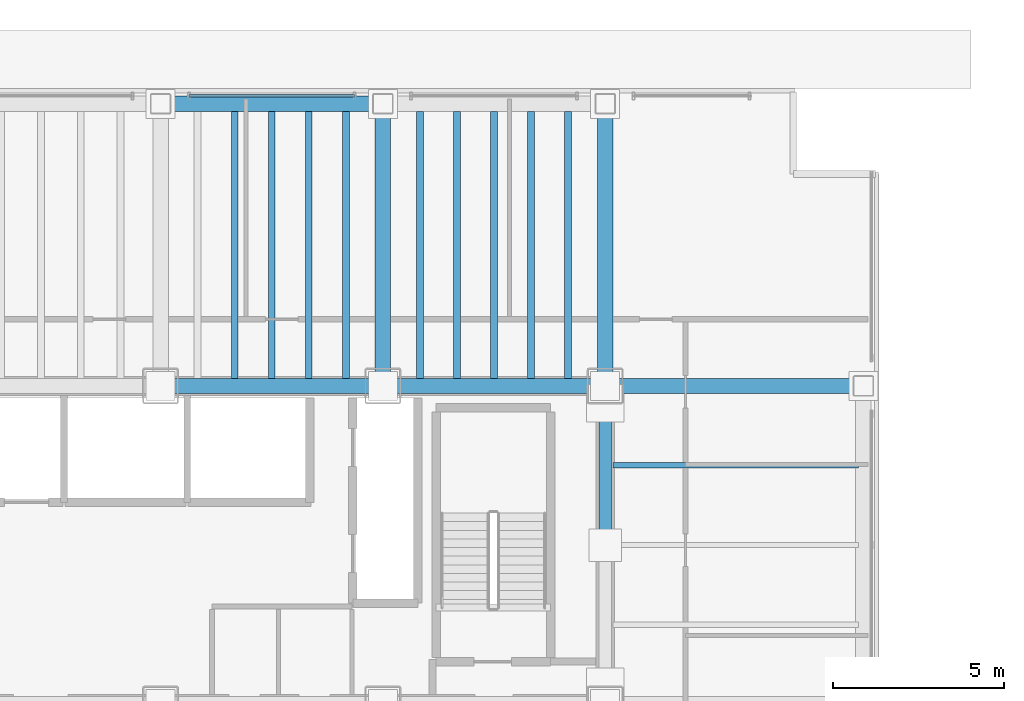
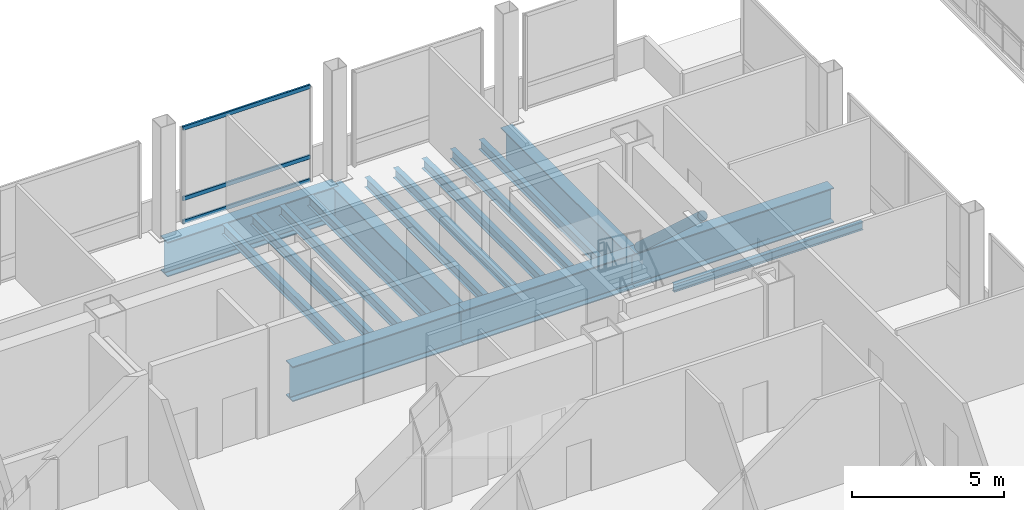
# One storey, part 20 of 34: 16 beams, 4 members, 1 element without a shape of its own.
"""IFC4 building model written with IfcOpenShell, lengths in metres."""

from ifc_helpers import new_model, si_unit, direction, frame, origin, origin_2d, place, context, subcontext, project, spatial, hollow_rectangle, hollow_circle, i_section, extrude, material, material_profile, profile_set, type_object, element, aggregate, save


model = new_model("IFC4")

# Units and contexts
model_context = context("Model", 3, precision=1e-05, world=origin(), true_north=direction((0.0, 1.0)))
body_context = subcontext(model_context, "Body", "Model", "MODEL_VIEW")
ifc_project = project(units=[si_unit("LENGTHUNIT", "METRE"), si_unit("AREAUNIT", "SQUARE_METRE"), si_unit("VOLUMEUNIT", "CUBIC_METRE"), si_unit("PLANEANGLEUNIT", "RADIAN"), si_unit("MASSUNIT", "GRAM", prefix="KILO")], contexts=[model_context])

# Site, building, storey
site_placement = place(None, origin())
site = spatial("IfcSite", under=ifc_project, at=site_placement, CompositionType="ELEMENT")
building_placement = place(site_placement, origin())
building = spatial("IfcBuilding", under=site, at=building_placement, Name="Noeulbin Bourse Tower", CompositionType="ELEMENT")
storey_placement = place(building_placement, frame((0.0, 0.0, 22.0)))
storey = spatial("IfcBuildingStorey", under=building, at=storey_placement, Name="L05", CompositionType="ELEMENT", Elevation=22.0)

# Beams
ifc_material_1 = material(Name="Steel S355", Category="steel")
ifc_material_profile_1 = material_profile(ifc_material_1, i_section(OverallWidth=0.159912109375, OverallDepth=0.320068359375, WebThickness=0.006591796875, FlangeThickness=0.010009765625, FilletRadius=0.012939453125, at=origin_2d()), Name="H-320x160x6.5x10", Category="LoadBearing")
ifc_profile_set_1 = profile_set([ifc_material_profile_1], Name="Steel S355")
beam_type_1 = type_object("IfcBeamType", Name="BM-JST-320", PredefinedType="JOIST", material=ifc_profile_set_1)
beam_1_placement = place(storey_placement, frame((44.22509765625, 35.97509765625, -0.39990234375), z_axis=(1.0, 0.0, 0.0), x_axis=(0.0, 1.0, 0.0)))
element("IfcBeam", 1, at=beam_1_placement, inside=storey, type_object=beam_type_1, Name="Wing Composite Joist L05-E81", PredefinedType="JOIST", context=body_context, shape_type="SweptSolid", body=[
    extrude(i_section(OverallWidth=0.159912109375, OverallDepth=0.320068359375, WebThickness=0.006591796875, FlangeThickness=0.010009765625, FilletRadius=0.012939453125, at=origin_2d()), origin(), (0.0, 0.0, 1.0), 7.1748046875),
])
ifc_material_profile_2 = material_profile(ifc_material_1, i_section(OverallWidth=0.199951171875, OverallDepth=0.39990234375, WebThickness=0.008056640625, FlangeThickness=0.012939453125, FilletRadius=0.01611328125, at=origin_2d()), Name="H-400x200x8x13", Category="LoadBearing")
ifc_profile_set_2 = profile_set([ifc_material_profile_2], Name="Steel S355")
beam_type_2 = type_object("IfcBeamType", Name="BM-SEC-400", PredefinedType="BEAM", material=ifc_profile_set_2)
for number, where, z_axis, x_axis, name in (
    (2, (33.166748046875, 38.52490234375, -0.43994140625), (0.0, 1.0, 0.0), (-1.0, 0.0, 0.0), "Tower Composite Joist L05-45"),
    (3, (34.25, 38.52490234375, -0.43994140625), (0.0, 1.0, 0.0), (-1.0, 0.0, 0.0), "Tower Composite Joist L05-48"),
    (4, (35.333251953125, 38.52490234375, -0.43994140625), (0.0, 1.0, 0.0), (-1.0, 0.0, 0.0), "Tower Composite Joist L05-51"),
    (5, (36.416748046875, 38.52490234375, -0.43994140625), (0.0, 1.0, 0.0), (-1.0, 0.0, 0.0), "Tower Composite Joist L05-54"),
    (6, (38.583251953125, 38.52490234375, -0.43994140625), (0.0, 1.0, 0.0), (-1.0, 0.0, 0.0), "Tower Composite Joist L05-57"),
    (7, (39.666748046875, 38.52490234375, -0.43994140625), (0.0, 1.0, 0.0), (-1.0, 0.0, 0.0), "Tower Composite Joist L05-60"),
    (8, (40.75, 38.52490234375, -0.43994140625), (0.0, 1.0, 0.0), (-1.0, 0.0, 0.0), "Tower Composite Joist L05-63"),
    (9, (41.833251953125, 38.52490234375, -0.43994140625), (0.0, 1.0, 0.0), (-1.0, 0.0, 0.0), "Tower Composite Joist L05-66"),
    (10, (42.916748046875, 38.52490234375, -0.43994140625), (0.0, 1.0, 0.0), (-1.0, 0.0, 0.0), "Tower Composite Joist L05-69"),
):
    element("IfcBeam", number, at=place(storey_placement, frame(where, z_axis=z_axis, x_axis=x_axis)), inside=storey, type_object=beam_type_2, Name=name, PredefinedType="BEAM", context=body_context, shape_type="SweptSolid", body=[
        extrude(i_section(OverallWidth=0.199951171875, OverallDepth=0.39990234375, WebThickness=0.008056640625, FlangeThickness=0.012939453125, FilletRadius=0.01611328125, at=origin_2d()), origin(), (0.0, 0.0, 1.0), 7.800048828125),
    ])
ifc_material_2 = material(Name="Steel S460", Category="steel")
ifc_material_profile_3 = material_profile(ifc_material_2, i_section(OverallWidth=0.449951171875, OverallDepth=1.39990234375, WebThickness=0.02392578125, FlangeThickness=0.0400390625, FilletRadius=0.02392578125, at=origin_2d()), Name="PG-1400x450x24x40", Category="LoadBearing")
ifc_profile_set_3 = profile_set([ifc_material_profile_3], Name="Steel S460")
beam_type_3 = type_object("IfcBeamType", Name="BM-TRF-1400", PredefinedType="USERDEFINED", material=ifc_profile_set_3)
for number, where, z_axis, x_axis, name in (
    (11, (31.0, 38.300048828125, -0.93994140625), (1.0, 0.0, 0.0), (0.0, 1.0, 0.0), "Tower Primary Girder EW L05-3.4"),
    (12, (37.5, 38.300048828125, -0.93994140625), (1.0, 0.0, 0.0), (0.0, 1.0, 0.0), "Tower Primary Girder EW L05-3.5"),
):
    element("IfcBeam", number, at=place(storey_placement, frame(where, z_axis=z_axis, x_axis=x_axis)), inside=storey, type_object=beam_type_3, Name=name, ObjectType="GIRDER", PredefinedType="USERDEFINED", context=body_context, shape_type="SweptSolid", body=[
        extrude(i_section(OverallWidth=0.449951171875, OverallDepth=1.39990234375, WebThickness=0.02392578125, FlangeThickness=0.0400390625, FilletRadius=0.02392578125, at=origin_2d()), origin(), (0.0, 0.0, 1.0), 6.5),
    ])
beam_2_placement = place(storey_placement, frame((44.0, 38.300048828125, -0.93994140625), z_axis=(1.0, 0.0, 0.0), x_axis=(0.0, 1.0, 0.0)))
element("IfcBeam", 13, at=beam_2_placement, inside=storey, type_object=beam_type_3, Name="Tower Primary Girder EW L05-3.6", ObjectType="GIRDER", PredefinedType="USERDEFINED", context=body_context, shape_type="SweptSolid", body=[
    extrude(i_section(OverallWidth=0.449951171875, OverallDepth=1.39990234375, WebThickness=0.02392578125, FlangeThickness=0.0400390625, FilletRadius=0.02392578125, at=origin_2d()), origin(), (0.0, 0.0, 1.0), 7.550048828125),
])
for number, where, z_axis, x_axis, name in (
    (14, (37.5, 38.300048828125, -0.93994140625), (0.0, 1.0, 0.0), (-1.0, 0.0, 0.0), "Tower Primary Girder NS L05-4.4"),
    (15, (44.0, 38.300048828125, -0.93994140625), (0.0, 1.0, 0.0), (-1.0, 0.0, 0.0), "Tower Primary Girder NS L05-5.4"),
):
    element("IfcBeam", number, at=place(storey_placement, frame(where, z_axis=z_axis, x_axis=x_axis)), inside=storey, type_object=beam_type_3, Name=name, ObjectType="GIRDER", PredefinedType="USERDEFINED", context=body_context, shape_type="SweptSolid", body=[
        extrude(i_section(OverallWidth=0.449951171875, OverallDepth=1.39990234375, WebThickness=0.02392578125, FlangeThickness=0.0400390625, FilletRadius=0.02392578125, at=origin_2d()), origin(), (0.0, 0.0, 1.0), 8.25),
    ])
beam_3_placement = place(storey_placement, frame((31.0, 46.550048828125, -0.93994140625), z_axis=(1.0, 0.0, 0.0), x_axis=(0.0, 1.0, 0.0)))
element("IfcBeam", 16, at=beam_3_placement, inside=storey, type_object=beam_type_3, Name="North Spandrel L05-3", ObjectType="GIRDER", PredefinedType="USERDEFINED", context=body_context, shape_type="SweptSolid", body=[
    extrude(i_section(OverallWidth=0.449951171875, OverallDepth=1.39990234375, WebThickness=0.02392578125, FlangeThickness=0.0400390625, FilletRadius=0.02392578125, at=origin_2d()), origin(), (0.0, 0.0, 1.0), 6.5),
])

# Curtain wall, members
ifc_material_3 = material(Name="Dark Solar-Control Double Glazing", Category="glass")
curtain_wall_type = type_object("IfcCurtainWallType", Name="CW-SYS-2", PredefinedType="NOTDEFINED", material=ifc_material_3)
curtain_wall_placement = place(storey_placement, origin())
curtain_wall = element("IfcCurtainWall", 17, at=curtain_wall_placement, inside=storey, type_object=curtain_wall_type, Name="Unitised Curtain Wall CW-L05-N-S4", PredefinedType="NOTDEFINED")
ifc_material_4 = material(Name="Anodised Aluminium 6063-T6", Category="aluminium")
ifc_material_profile_4 = material_profile(ifc_material_4, hollow_rectangle(XDim=0.074951171875, YDim=0.159912109375, WallThickness=0.0048828125, InnerFilletRadius=0.00244140625, OuterFilletRadius=0.0048828125, at=origin_2d()), Name="ALU-TRAN-75x160x5", Category="LoadBearing")
ifc_profile_set_4 = profile_set([ifc_material_profile_4], Name="Anodised Aluminium 6063-T6")
member_type_1 = type_object("IfcMemberType", Name="CW-SYS-2-TRN", PredefinedType="USERDEFINED", material=ifc_profile_set_4)
member_1_placement = place(storey_placement, frame((31.8349609375, 46.780029296875, 0.010009765625), z_axis=(1.0, 0.0, 0.0), x_axis=(0.0, 1.0, 0.0)))
member_1 = element("IfcMember", 18, at=member_1_placement, type_object=member_type_1, Name="Curtain Wall Transom CW-L05-N-S4-T00", ObjectType="TRANSOM", PredefinedType="USERDEFINED", context=body_context, shape_type="SweptSolid", body=[
    extrude(hollow_rectangle(XDim=0.074951171875, YDim=0.159912109375, WallThickness=0.0048828125, InnerFilletRadius=0.00244140625, OuterFilletRadius=0.0048828125, at=origin_2d()), origin(), (0.0, 0.0, 1.0), 4.830078125),
])
member_2_placement = place(storey_placement, frame((31.8349609375, 46.780029296875, 0.949951171875), z_axis=(1.0, 0.0, 0.0), x_axis=(0.0, 1.0, 0.0)))
member_2 = element("IfcMember", 19, at=member_2_placement, type_object=member_type_1, Name="Curtain Wall Transom CW-L05-N-S4-T01", ObjectType="TRANSOM", PredefinedType="USERDEFINED", context=body_context, shape_type="SweptSolid", body=[
    extrude(hollow_rectangle(XDim=0.074951171875, YDim=0.159912109375, WallThickness=0.0048828125, InnerFilletRadius=0.00244140625, OuterFilletRadius=0.0048828125, at=origin_2d()), origin(), (0.0, 0.0, 1.0), 4.830078125),
])
member_3_placement = place(storey_placement, frame((31.8349609375, 46.780029296875, 3.77001953125), z_axis=(1.0, 0.0, 0.0), x_axis=(0.0, 1.0, 0.0)))
member_3 = element("IfcMember", 20, at=member_3_placement, type_object=member_type_1, Name="Curtain Wall Transom CW-L05-N-S4-T02", ObjectType="TRANSOM", PredefinedType="USERDEFINED", context=body_context, shape_type="SweptSolid", body=[
    extrude(hollow_rectangle(XDim=0.074951171875, YDim=0.159912109375, WallThickness=0.0048828125, InnerFilletRadius=0.00244140625, OuterFilletRadius=0.0048828125, at=origin_2d()), origin(), (0.0, 0.0, 1.0), 4.830078125),
])
aggregate(curtain_wall, [member_1, member_2, member_3])

# Member
ifc_material_profile_5 = material_profile(ifc_material_1, hollow_circle(Radius=0.177734375, WallThickness=0.0126953125, at=origin_2d()), Name="CHS-355.6x12.7", Category="LoadBearing")
ifc_profile_set_5 = profile_set([ifc_material_profile_5], Name="Steel S355")
member_type_2 = type_object("IfcMemberType", Name="MEM-EXO-356", PredefinedType="BRACE", material=ifc_profile_set_5)
member_4_placement = place(storey_placement, frame((44.0, 33.64990234375, 3.969970703125), z_axis=(0.0, 0.740192217765, -0.672395330709), x_axis=(-1.0, 0.0, 0.0)))
element("IfcMember", 21, at=member_4_placement, inside=storey, type_object=member_type_2, Name="Core Flank Chevron Brace XT-L05-E2", PredefinedType="BRACE", context=body_context, shape_type="SweptSolid", body=[
    extrude(hollow_circle(Radius=0.177734375, WallThickness=0.0126953125, at=origin_2d()), origin(), (0.0, 0.0, 1.0), 5.60693359375),
])

save(model, "model.ifc")
